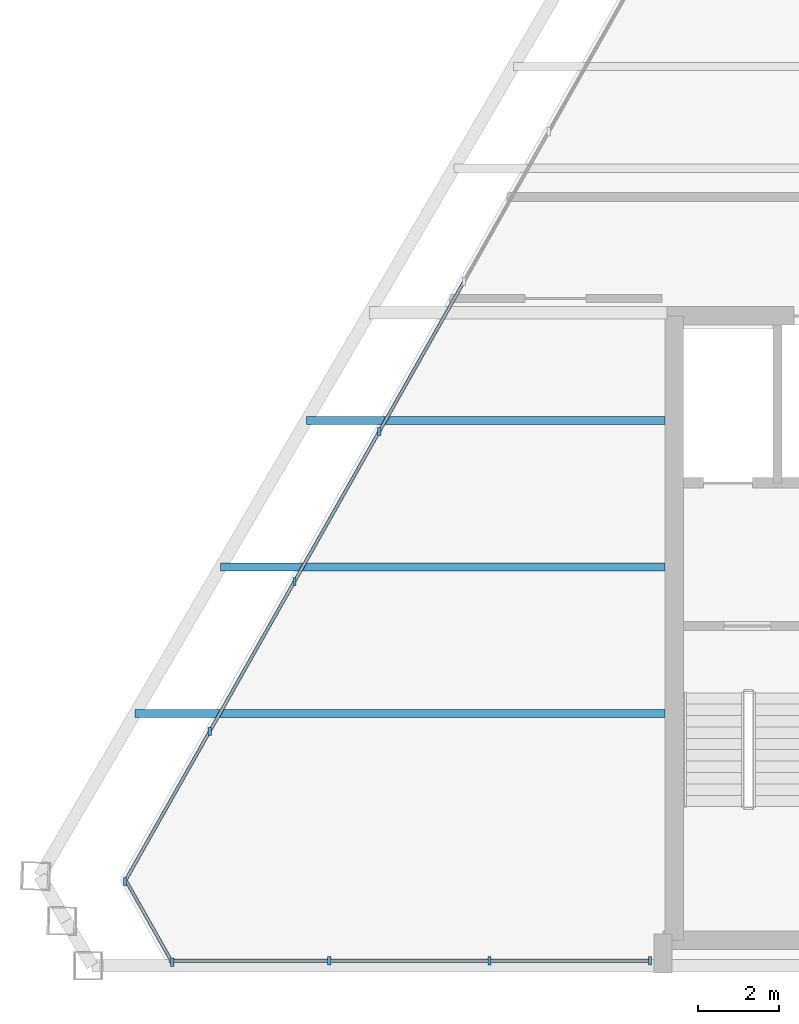
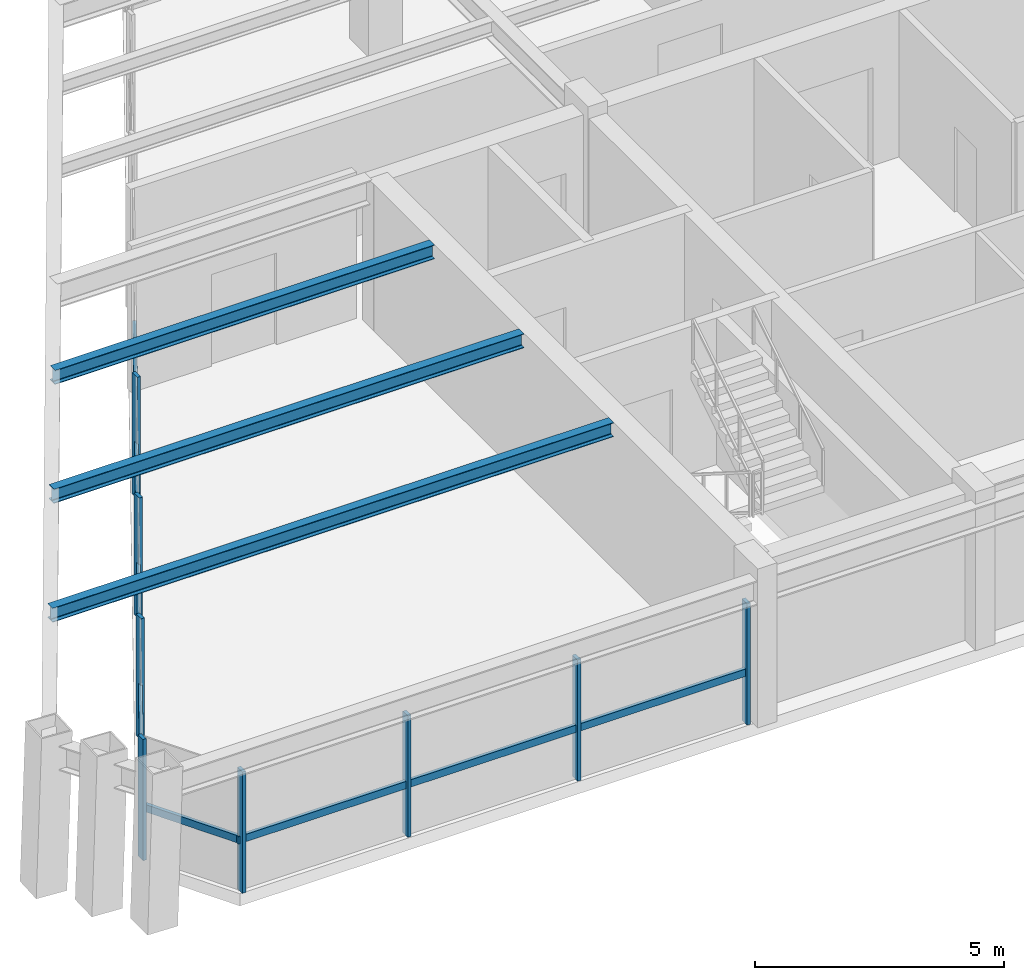
# One storey, part 2 of 12: 16 members, 3 beams, 3 elements without a shape of their own.
"""IFC4 building model written with IfcOpenShell, lengths in metres."""

from ifc_helpers import new_model, si_unit, direction, frame, origin, origin_2d, place, context, subcontext, project, spatial, rectangle, i_section, extrude, source, transform, mapped, material, material_profile, profile_set, type_object, type_shapes, element, aggregate, save


model = new_model("IFC4")

# Units and contexts
model_context = context("Model", 3, precision=1e-05, world=origin(), true_north=direction((0.0, 1.0)))
body_context = subcontext(model_context, "Body", "Model", "MODEL_VIEW")
ifc_project = project(units=[si_unit("LENGTHUNIT", "METRE"), si_unit("AREAUNIT", "SQUARE_METRE"), si_unit("VOLUMEUNIT", "CUBIC_METRE"), si_unit("PLANEANGLEUNIT", "RADIAN"), si_unit("MASSUNIT", "GRAM", prefix="KILO")], contexts=[model_context])

# Site, building, storey
site_placement = place(None, origin())
site = spatial("IfcSite", under=ifc_project, at=site_placement, CompositionType="ELEMENT")
building_placement = place(site_placement, origin())
building = spatial("IfcBuilding", under=site, at=building_placement, Name="Varnakhor Terracotta Tower", CompositionType="ELEMENT")
storey_placement = place(building_placement, frame((0.0, 0.0, 317.5)))
storey = spatial("IfcBuildingStorey", under=building, at=storey_placement, Name="L83 Crown", CompositionType="ELEMENT", Elevation=317.5)

# Beams
ifc_material_1 = material(Name="Steel S355", Category="steel")
ifc_material_profile_1 = material_profile(ifc_material_1, i_section(OverallWidth=0.202880859375, OverallDepth=0.346923828125, WebThickness=0.0078125, FlangeThickness=0.013427734375, FilletRadius=0.01806640625, at=origin_2d()), Name="W14X43")
ifc_profile_set_1 = profile_set([ifc_material_profile_1], Name="Steel S355")
beam_type = type_object("IfcBeamType", Name="JST-W14X43", PredefinedType="JOIST", material=ifc_profile_set_1)
shared_shape_1 = source(origin(), body_context, "Body", "SweptSolid", [
    extrude(i_section(OverallWidth=0.202880859375, OverallDepth=0.346923828125, WebThickness=0.0078125, FlangeThickness=0.013427734375, FilletRadius=0.01806640625, at=origin_2d()), origin(), (0.0, 0.0, 1.0), 13.02783203125),
])
beam_1_placement = place(storey_placement, frame((-23.6279296875, 6.199951171875, 3.426513671875), z_axis=(1.0, 0.0, 0.0), x_axis=(0.0, 1.0, 0.0)))
element("IfcBeam", 1, at=beam_1_placement, inside=storey, type_object=beam_type, Name="L83 Crown Floor Joist W1", PredefinedType="JOIST", context=body_context, shape_type="MappedRepresentation", body=[
    mapped(shared_shape_1, transform((0.0, 0.0, 0.0), scale=1.0)),
])
shared_shape_2 = source(origin(), body_context, "Body", "SweptSolid", [
    extrude(i_section(OverallWidth=0.202880859375, OverallDepth=0.346923828125, WebThickness=0.0078125, FlangeThickness=0.013427734375, FilletRadius=0.01806640625, at=origin_2d()), origin(), (0.0, 0.0, 1.0), 10.92236328125),
])
beam_2_placement = place(storey_placement, frame((-21.5224609375, 9.800048828125, 3.426513671875), z_axis=(1.0, 0.0, 0.0), x_axis=(0.0, 1.0, 0.0)))
element("IfcBeam", 2, at=beam_2_placement, inside=storey, type_object=beam_type, Name="L83 Crown Floor Joist W2", PredefinedType="JOIST", context=body_context, shape_type="MappedRepresentation", body=[
    mapped(shared_shape_2, transform((0.0, 0.0, 0.0), scale=1.0)),
])
shared_shape_3 = source(origin(), body_context, "Body", "SweptSolid", [
    extrude(i_section(OverallWidth=0.202880859375, OverallDepth=0.346923828125, WebThickness=0.0078125, FlangeThickness=0.013427734375, FilletRadius=0.01806640625, at=origin_2d()), origin(), (0.0, 0.0, 1.0), 8.81689453125),
])
beam_3_placement = place(storey_placement, frame((-19.4169921875, 13.39990234375, 3.426513671875), z_axis=(1.0, 0.0, 0.0), x_axis=(0.0, 1.0, 0.0)))
element("IfcBeam", 3, at=beam_3_placement, inside=storey, type_object=beam_type, Name="L83 Crown Floor Joist W3", PredefinedType="JOIST", context=body_context, shape_type="MappedRepresentation", body=[
    mapped(shared_shape_3, transform((0.0, 0.0, 0.0), scale=1.0)),
])

# Curtain wall, members
ifc_material_2 = material(Name="Anodised Aluminium Curtain Wall System", Category="aluminium")
curtain_wall_type = type_object("IfcCurtainWallType", Name="CW-SYS-CROWN", PredefinedType="NOTDEFINED", material=ifc_material_2)
curtain_wall_1_placement = place(storey_placement, origin())
curtain_wall_1 = element("IfcCurtainWall", 4, at=curtain_wall_1_placement, inside=storey, type_object=curtain_wall_type, Name="L83 Crown Facet Curtain Wall 1", PredefinedType="NOTDEFINED")
ifc_material_3 = material(Name="Anodised Aluminium 6063-T6", Category="aluminium")
ifc_material_profile_2 = material_profile(ifc_material_3, rectangle(XDim=0.080078125, YDim=0.205078125, at=origin_2d()), Name="ALU MULLION 80x205")
ifc_profile_set_2 = profile_set([ifc_material_profile_2], Name="Anodised Aluminium 6063-T6")
member_type_1 = type_object("IfcMemberType", Name="CWM-06", PredefinedType="MULLION", material=ifc_profile_set_2)
shared_shape_4 = source(origin(), body_context, "Body", "SweptSolid", [
    extrude(rectangle(XDim=0.080078125, YDim=0.205078125, at=origin_2d()), origin(), (0.0, 0.0, 1.0), 2.97998046875),
])
type_shapes(member_type_1, [shared_shape_4])
member_1_placement = place(storey_placement, frame((-23.87548828125, 2.072265625, 0.0), z_axis=(0.0, 0.0, 1.0), x_axis=(1.0, 0.0, 0.0)))
member_1 = element("IfcMember", 5, at=member_1_placement, type_object=member_type_1, Name="L83 Crown Facet Curtain Wall 1 Mullion 1", PredefinedType="MULLION", context=body_context, shape_type="MappedRepresentation", body=[
    mapped(shared_shape_4, transform((0.0, 0.0, 0.0), scale=1.0)),
])
member_2_placement = place(storey_placement, frame((-21.791748046875, 5.75830078125, 0.0), z_axis=(0.0, 0.0, 1.0), x_axis=(1.0, 0.0, 0.0)))
member_2 = element("IfcMember", 6, at=member_2_placement, type_object=member_type_1, Name="L83 Crown Facet Curtain Wall 1 Mullion 2", PredefinedType="MULLION", context=body_context, shape_type="MappedRepresentation", body=[
    mapped(shared_shape_4, transform((0.0, 0.0, 0.0), scale=1.0)),
])
member_3_placement = place(storey_placement, frame((-19.7080078125, 9.4443359375, 0.0), z_axis=(0.0, 0.0, 1.0), x_axis=(1.0, 0.0, 0.0)))
member_3 = element("IfcMember", 7, at=member_3_placement, type_object=member_type_1, Name="L83 Crown Facet Curtain Wall 1 Mullion 3", PredefinedType="MULLION", context=body_context, shape_type="MappedRepresentation", body=[
    mapped(shared_shape_4, transform((0.0, 0.0, 0.0), scale=1.0)),
])
member_4_placement = place(storey_placement, frame((-17.62451171875, 13.13037109375, 0.0), z_axis=(0.0, 0.0, 1.0), x_axis=(1.0, 0.0, 0.0)))
member_4 = element("IfcMember", 8, at=member_4_placement, type_object=member_type_1, Name="L83 Crown Facet Curtain Wall 1 Mullion 4", PredefinedType="MULLION", context=body_context, shape_type="MappedRepresentation", body=[
    mapped(shared_shape_4, transform((0.0, 0.0, 0.0), scale=1.0)),
])

curtain_wall_2_placement = place(storey_placement, origin())
curtain_wall_2 = element("IfcCurtainWall", 9, at=curtain_wall_2_placement, inside=storey, type_object=curtain_wall_type, Name="L83 Crown South Wing Curtain Wall SSW", PredefinedType="NOTDEFINED")
member_5_placement = place(storey_placement, frame((-10.969970703125, 0.1201171875, 0.0), z_axis=(0.0, 0.0, 1.0), x_axis=(1.0, 0.0, 0.0)))
member_5 = element("IfcMember", 10, at=member_5_placement, type_object=member_type_1, Name="L83 Crown South Wing Curtain Wall SSW Mullion 1", PredefinedType="MULLION", context=body_context, shape_type="MappedRepresentation", body=[
    mapped(shared_shape_4, transform((0.0, 0.0, 0.0), scale=1.0)),
])
member_6_placement = place(storey_placement, frame((-14.91162109375, 0.1201171875, 0.0), z_axis=(0.0, 0.0, 1.0), x_axis=(1.0, 0.0, 0.0)))
member_6 = element("IfcMember", 11, at=member_6_placement, type_object=member_type_1, Name="L83 Crown South Wing Curtain Wall SSW Mullion 2", PredefinedType="MULLION", context=body_context, shape_type="MappedRepresentation", body=[
    mapped(shared_shape_4, transform((0.0, 0.0, 0.0), scale=1.0)),
])
member_7_placement = place(storey_placement, frame((-18.85302734375, 0.1201171875, 0.0), z_axis=(0.0, 0.0, 1.0), x_axis=(1.0, 0.0, 0.0)))
member_7 = element("IfcMember", 12, at=member_7_placement, type_object=member_type_1, Name="L83 Crown South Wing Curtain Wall SSW Mullion 3", PredefinedType="MULLION", context=body_context, shape_type="MappedRepresentation", body=[
    mapped(shared_shape_4, transform((0.0, 0.0, 0.0), scale=1.0)),
])

# Curtain wall, member
curtain_wall_3_placement = place(storey_placement, origin())
curtain_wall_3 = element("IfcCurtainWall", 13, at=curtain_wall_3_placement, inside=storey, type_object=curtain_wall_type, Name="L83 Crown Facet Curtain Wall 6", PredefinedType="NOTDEFINED")
member_8_placement = place(storey_placement, frame((-22.71484375, 0.085205078125, 0.0), z_axis=(0.0, 0.0, 1.0), x_axis=(1.0, 0.0, 0.0)))
member_8 = element("IfcMember", 14, at=member_8_placement, type_object=member_type_1, Name="L83 Crown Facet Curtain Wall 6 Mullion 1", PredefinedType="MULLION", context=body_context, shape_type="MappedRepresentation", body=[
    mapped(shared_shape_4, transform((0.0, 0.0, 0.0), scale=1.0)),
])

# Member
ifc_material_profile_3 = material_profile(ifc_material_3, rectangle(XDim=0.080078125, YDim=0.179931640625, at=origin_2d()), Name="ALU TRANSOM 80x180")
ifc_profile_set_3 = profile_set([ifc_material_profile_3], Name="Anodised Aluminium 6063-T6")
member_type_2 = type_object("IfcMemberType", Name="CWT-06", PredefinedType="USERDEFINED", material=ifc_profile_set_3)
shared_shape_5 = source(origin(), body_context, "Body", "SweptSolid", [
    extrude(rectangle(XDim=0.080078125, YDim=0.179931640625, at=origin_2d()), origin(), (0.0, 0.0, 1.0), 4.234130859375),
])
member_9_placement = place(storey_placement, frame((-23.87548828125, 2.072265625, 1.251708984375), z_axis=(0.492116153224, 0.870529546734, 0.0), x_axis=(-0.870529546734, 0.492116153224, 0.0)))
member_9 = element("IfcMember", 15, at=member_9_placement, type_object=member_type_2, Name="L83 Crown Facet Curtain Wall 1 Transom 1", ObjectType="TRANSOM", PredefinedType="USERDEFINED", context=body_context, shape_type="MappedRepresentation", body=[
    mapped(shared_shape_5, transform((0.0, 0.0, 0.0), scale=1.0)),
])

member_10_placement = place(storey_placement, frame((-21.791748046875, 5.75830078125, 1.251708984375), z_axis=(0.492116153224, 0.870529546734, 0.0), x_axis=(-0.870529546734, 0.492116153224, 0.0)))
member_10 = element("IfcMember", 16, at=member_10_placement, type_object=member_type_2, Name="L83 Crown Facet Curtain Wall 1 Transom 2", ObjectType="TRANSOM", PredefinedType="USERDEFINED", context=body_context, shape_type="MappedRepresentation", body=[
    mapped(shared_shape_5, transform((0.0, 0.0, 0.0), scale=1.0)),
])

member_11_placement = place(storey_placement, frame((-19.7080078125, 9.4443359375, 1.251708984375), z_axis=(0.492072456426, 0.870554247377, 0.0), x_axis=(-0.870554247377, 0.492072456426, 0.0)))
member_11 = element("IfcMember", 17, at=member_11_placement, type_object=member_type_2, Name="L83 Crown Facet Curtain Wall 1 Transom 3", ObjectType="TRANSOM", PredefinedType="USERDEFINED", context=body_context, shape_type="MappedRepresentation", body=[
    mapped(shared_shape_5, transform((0.0, 0.0, 0.0), scale=1.0)),
])

member_12_placement = place(storey_placement, frame((-17.62451171875, 13.13037109375, 1.251708984375), z_axis=(0.492072456426, 0.870554247377, 0.0), x_axis=(-0.870554247377, 0.492072456426, 0.0)))
member_12 = element("IfcMember", 18, at=member_12_placement, type_object=member_type_2, Name="L83 Crown Facet Curtain Wall 1 Transom 4", ObjectType="TRANSOM", PredefinedType="USERDEFINED", context=body_context, shape_type="MappedRepresentation", body=[
    mapped(shared_shape_5, transform((0.0, 0.0, 0.0), scale=1.0)),
])

aggregate(curtain_wall_1, [member_1, member_9, member_2, member_10, member_3, member_11, member_4, member_12])

shared_shape_6 = source(origin(), body_context, "Body", "SweptSolid", [
    extrude(rectangle(XDim=0.080078125, YDim=0.179931640625, at=origin_2d()), origin(), (0.0, 0.0, 1.0), 3.941650390625),
])
member_13_placement = place(storey_placement, frame((-10.969970703125, 0.1201171875, 1.251708984375), z_axis=(-1.0, 0.0, 0.0), x_axis=(0.0, -1.0, 0.0)))
member_13 = element("IfcMember", 19, at=member_13_placement, type_object=member_type_2, Name="L83 Crown South Wing Curtain Wall SSW Transom 1", ObjectType="TRANSOM", PredefinedType="USERDEFINED", context=body_context, shape_type="MappedRepresentation", body=[
    mapped(shared_shape_6, transform((0.0, 0.0, 0.0), scale=1.0)),
])

member_14_placement = place(storey_placement, frame((-18.85302734375, 0.1201171875, 1.251708984375), z_axis=(-1.0, 0.0, 0.0), x_axis=(0.0, -1.0, 0.0)))
member_14 = element("IfcMember", 20, at=member_14_placement, type_object=member_type_2, Name="L83 Crown South Wing Curtain Wall SSW Transom 3", ObjectType="TRANSOM", PredefinedType="USERDEFINED", context=body_context, shape_type="MappedRepresentation", body=[
    mapped(shared_shape_6, transform((0.0, 0.0, 0.0), scale=1.0)),
])

shared_shape_7 = source(origin(), body_context, "Body", "SweptSolid", [
    extrude(rectangle(XDim=0.080078125, YDim=0.179931640625, at=origin_2d()), origin(), (0.0, 0.0, 1.0), 3.94140625),
])
member_15_placement = place(storey_placement, frame((-14.91162109375, 0.1201171875, 1.251708984375), z_axis=(-1.0, 0.0, 0.0), x_axis=(0.0, -1.0, 0.0)))
member_15 = element("IfcMember", 21, at=member_15_placement, type_object=member_type_2, Name="L83 Crown South Wing Curtain Wall SSW Transom 2", ObjectType="TRANSOM", PredefinedType="USERDEFINED", context=body_context, shape_type="MappedRepresentation", body=[
    mapped(shared_shape_7, transform((0.0, 0.0, 0.0), scale=1.0)),
])

aggregate(curtain_wall_2, [member_5, member_13, member_6, member_15, member_7, member_14])

shared_shape_8 = source(origin(), body_context, "Body", "SweptSolid", [
    extrude(rectangle(XDim=0.080078125, YDim=0.179931640625, at=origin_2d()), origin(), (0.0, 0.0, 1.0), 2.358154296875),
])
member_16_placement = place(storey_placement, frame((-22.71484375, 0.085205078125, 1.251708984375), z_axis=(-0.492186887585, 0.870489556335, 0.0), x_axis=(-0.870489556335, -0.492186887585, 0.0)))
member_16 = element("IfcMember", 22, at=member_16_placement, type_object=member_type_2, Name="L83 Crown Facet Curtain Wall 6 Transom 1", ObjectType="TRANSOM", PredefinedType="USERDEFINED", context=body_context, shape_type="MappedRepresentation", body=[
    mapped(shared_shape_8, transform((0.0, 0.0, 0.0), scale=1.0)),
])

aggregate(curtain_wall_3, [member_8, member_16])

save(model, "model.ifc")
